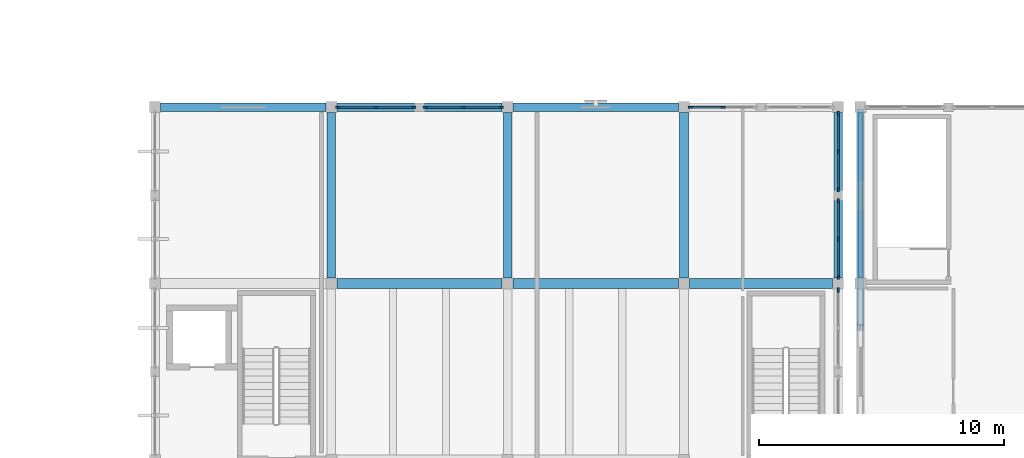
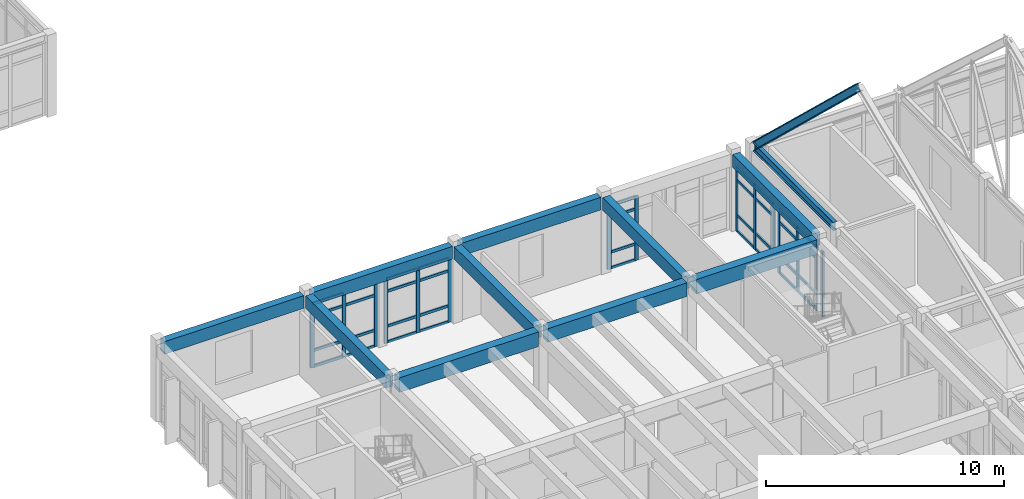
# One storey, part 41 of 136: 52 members, 11 beams, 6 elements without a shape of their own.
"""IFC4 building model written with IfcOpenShell, lengths in metres."""

from ifc_helpers import new_model, si_unit, direction, frame, origin, origin_2d, place, context, subcontext, project, spatial, rectangle, i_section, extrude, material, layer, layer_set, material_profile, profile_set, type_object, element, aggregate, save


model = new_model("IFC4")

# Units and contexts
model_context = context("Model", 3, precision=1e-05, world=origin(), true_north=direction((0.0, 1.0)))
body_context = subcontext(model_context, "Body", "Model", "MODEL_VIEW")
ifc_project = project(units=[si_unit("LENGTHUNIT", "METRE"), si_unit("AREAUNIT", "SQUARE_METRE"), si_unit("VOLUMEUNIT", "CUBIC_METRE"), si_unit("PLANEANGLEUNIT", "RADIAN"), si_unit("MASSUNIT", "GRAM", prefix="KILO")], contexts=[model_context])

# Site, building, storey
site_placement = place(None, origin())
site = spatial("IfcSite", under=ifc_project, at=site_placement, CompositionType="ELEMENT")
building_placement = place(site_placement, origin())
building = spatial("IfcBuilding", under=site, at=building_placement, Name="Koriwan Promenade Central Fire Station", CompositionType="ELEMENT")
storey_placement = place(building_placement, frame((0.0, 0.0, 5.39990234375)))
storey = spatial("IfcBuildingStorey", under=building, at=storey_placement, Name="L01", CompositionType="ELEMENT", Elevation=5.39990234375)

# Beams
ifc_material_1 = material(Name="Concrete C35/45", Category="concrete")
ifc_material_profile_1 = material_profile(ifc_material_1, rectangle(XDim=0.35009765625, YDim=0.64990234375, at=origin_2d()), Name="RC-BM-350x650")
ifc_profile_set_1 = profile_set([ifc_material_profile_1], Name="Concrete C35/45")
beam_type_1 = type_object("IfcBeamType", Name="Beam_RC-BM-350x650", PredefinedType="BEAM", material=ifc_profile_set_1)
for number, where, z_axis, x_axis, name in (
    (1, (36.0, 65.02490234375, 3.625), (0.0, 1.0, 0.0), (-1.0, 0.0, 0.0), "V4 L01 girder Y-439"),
    (2, (43.199951171875, 65.02490234375, 3.625), (0.0, 1.0, 0.0), (-1.0, 0.0, 0.0), "V4 L01 girder Y-443"),
    (3, (50.39990234375, 65.02490234375, 3.625), (0.0, 1.0, 0.0), (-1.0, 0.0, 0.0), "V4 L01 girder Y-447"),
    (4, (56.699951171875, 65.02490234375, 3.625), (0.0, 1.0, 0.0), (-1.0, 0.0, 0.0), "V4 L01 girder Y-451"),
):
    element("IfcBeam", number, at=place(storey_placement, frame(where, z_axis=z_axis, x_axis=x_axis)), inside=storey, type_object=beam_type_1, Name=name, PredefinedType="BEAM", context=body_context, shape_type="SweptSolid", body=[
        extrude(rectangle(XDim=0.35009765625, YDim=0.64990234375, at=origin_2d()), origin(), (0.0, 0.0, 1.0), 6.75),
    ])
ifc_material_profile_2 = material_profile(ifc_material_1, rectangle(XDim=0.39990234375, YDim=0.699951171875, at=origin_2d()), Name="RC-BM-400x700")
ifc_profile_set_2 = profile_set([ifc_material_profile_2], Name="Concrete C35/45")
beam_type_2 = type_object("IfcBeamType", Name="Beam_RC-BM-400x700", PredefinedType="BEAM", material=ifc_profile_set_2)
beam_1_placement = place(storey_placement, frame((43.425048828125, 64.800048828125, 3.60009765625), z_axis=(1.0, 0.0, 0.0), x_axis=(0.0, 1.0, 0.0)))
element("IfcBeam", 5, at=beam_1_placement, inside=storey, type_object=beam_type_2, Name="V4 L01 girder X-426", PredefinedType="BEAM", context=body_context, shape_type="SweptSolid", body=[
    extrude(rectangle(XDim=0.39990234375, YDim=0.699951171875, at=origin_2d()), origin(), (0.0, 0.0, 1.0), 6.75),
])
ifc_material_profile_3 = material_profile(ifc_material_1, rectangle(XDim=0.39990234375, YDim=0.75, at=origin_2d()), Name="RC-BM-400x750")
ifc_profile_set_3 = profile_set([ifc_material_profile_3], Name="Concrete C35/45")
beam_type_3 = type_object("IfcBeamType", Name="Beam_RC-BM-400x750", PredefinedType="BEAM", material=ifc_profile_set_3)
beam_2_placement = place(storey_placement, frame((36.22509765625, 64.800048828125, 3.5751953125), z_axis=(1.0, 0.0, 0.0), x_axis=(0.0, 1.0, 0.0)))
element("IfcBeam", 6, at=beam_2_placement, inside=storey, type_object=beam_type_3, Name="V4 L01 girder X-425", PredefinedType="BEAM", context=body_context, shape_type="SweptSolid", body=[
    extrude(rectangle(XDim=0.39990234375, YDim=0.75, at=origin_2d()), origin(), (0.0, 0.0, 1.0), 6.75),
])
beam_3_placement = place(storey_placement, frame((50.625, 64.800048828125, 3.5751953125), z_axis=(1.0, 0.0, 0.0), x_axis=(0.0, 1.0, 0.0)))
element("IfcBeam", 7, at=beam_3_placement, inside=storey, type_object=beam_type_3, Name="V4 L01 girder X-427", PredefinedType="BEAM", context=body_context, shape_type="SweptSolid", body=[
    extrude(rectangle(XDim=0.39990234375, YDim=0.75, at=origin_2d()), origin(), (0.0, 0.0, 1.0), 5.85009765625),
])
ifc_material_profile_4 = material_profile(ifc_material_1, rectangle(XDim=0.35009765625, YDim=0.64990234375, at=origin_2d()), Name="RC-SP-350x650")
ifc_profile_set_4 = profile_set([ifc_material_profile_4], Name="Concrete C35/45")
beam_type_4 = type_object("IfcBeamType", Name="Beam_RC-SP-350x650", PredefinedType="SPANDREL", material=ifc_profile_set_4)
for number, where, z_axis, x_axis, name in (
    (8, (29.02490234375, 72.0, 3.625), (1.0, 0.0, 0.0), (0.0, 1.0, 0.0), "V4 L01 girder X-428"),
    (9, (36.22509765625, 72.0, 3.625), (1.0, 0.0, 0.0), (0.0, 1.0, 0.0), "V4 L01 girder X-429"),
    (10, (43.425048828125, 72.0, 3.625), (1.0, 0.0, 0.0), (0.0, 1.0, 0.0), "V4 L01 girder X-430"),
):
    element("IfcBeam", number, at=place(storey_placement, frame(where, z_axis=z_axis, x_axis=x_axis)), inside=storey, type_object=beam_type_4, Name=name, PredefinedType="SPANDREL", context=body_context, shape_type="SweptSolid", body=[
        extrude(rectangle(XDim=0.35009765625, YDim=0.64990234375, at=origin_2d()), origin(), (0.0, 0.0, 1.0), 6.75),
    ])

# Curtain wall, member
ifc_material_2 = material(Name="Aluminium EN AW-6063-T6 and low-E glazing", Category="aluminium")
ifc_layer_1 = layer(ifc_material_2, 0.159912109375, Name="Aluminium EN AW-6063-T6 and low-E glazing")
ifc_layer_set_1 = layer_set([ifc_layer_1], Name="Aluminium EN AW-6063-T6 and low-E glazing")
curtain_wall_type_1 = type_object("IfcCurtainWallType", Name="CurtainWall_44_318x334", PredefinedType="USERDEFINED", material=ifc_layer_set_1)
curtain_wall_1_placement = place(storey_placement, origin())
curtain_wall_1 = element("IfcCurtainWall", 11, at=curtain_wall_1_placement, inside=storey, type_object=curtain_wall_type_1, Name="V4 L01 unitised curtain wall 114", ObjectType="UNITISED CURTAIN WALL", PredefinedType="USERDEFINED")
ifc_material_3 = material(Name="Aluminium EN AW-6063-T6", Category="aluminium")
ifc_material_profile_5 = material_profile(ifc_material_3, rectangle(XDim=0.074951171875, YDim=0.179931640625, at=origin_2d()), Name="ALU-MUL-75x180")
ifc_profile_set_5 = profile_set([ifc_material_profile_5], Name="Aluminium EN AW-6063-T6")
member_type_1 = type_object("IfcMemberType", Name="CWMullion_ALU-MUL-75x180", PredefinedType="MULLION", material=ifc_profile_set_5)
member_1_placement = place(storey_placement, frame((56.699951171875, 64.53759765625, 0.0), z_axis=(0.0, 0.0, 1.0), x_axis=(-1.0, 0.0, 0.0)))
member_1 = element("IfcMember", 12, at=member_1_placement, type_object=member_type_1, Name="CW-44 mullion 3", PredefinedType="MULLION", context=body_context, shape_type="SweptSolid", body=[
    extrude(rectangle(XDim=0.074951171875, YDim=0.179931640625, at=origin_2d()), origin(), (0.0, 0.0, 1.0), 3.340087890625),
])
aggregate(curtain_wall_1, [member_1])

# Curtain wall, members
ifc_layer_2 = layer(ifc_material_2, 0.159912109375, Name="Aluminium EN AW-6063-T6 and low-E glazing")
ifc_layer_set_2 = layer_set([ifc_layer_2], Name="Aluminium EN AW-6063-T6 and low-E glazing")
curtain_wall_type_2 = type_object("IfcCurtainWallType", Name="CurtainWall_46_317x329", PredefinedType="USERDEFINED", material=ifc_layer_set_2)
curtain_wall_2_placement = place(storey_placement, origin())
curtain_wall_2 = element("IfcCurtainWall", 13, at=curtain_wall_2_placement, inside=storey, type_object=curtain_wall_type_2, Name="V4 L01 unitised curtain wall 115", ObjectType="UNITISED CURTAIN WALL", PredefinedType="USERDEFINED")
member_2_placement = place(storey_placement, frame((56.699951171875, 65.0625, 0.0), z_axis=(0.0, 0.0, 1.0), x_axis=(-1.0, 0.0, 0.0)))
member_2 = element("IfcMember", 14, at=member_2_placement, type_object=member_type_1, Name="CW-46 mullion 1", PredefinedType="MULLION", context=body_context, shape_type="SweptSolid", body=[
    extrude(rectangle(XDim=0.074951171875, YDim=0.179931640625, at=origin_2d()), origin(), (0.0, 0.0, 1.0), 3.2900390625),
])
member_3_placement = place(storey_placement, frame((56.699951171875, 66.612548828125, 0.0), z_axis=(0.0, 0.0, 1.0), x_axis=(-1.0, 0.0, 0.0)))
member_3 = element("IfcMember", 15, at=member_3_placement, type_object=member_type_1, Name="CW-46 mullion 2", PredefinedType="MULLION", context=body_context, shape_type="SweptSolid", body=[
    extrude(rectangle(XDim=0.074951171875, YDim=0.179931640625, at=origin_2d()), origin(), (0.0, 0.0, 1.0), 3.2900390625),
])
member_4_placement = place(storey_placement, frame((56.699951171875, 68.16259765625, 0.0), z_axis=(0.0, 0.0, 1.0), x_axis=(-1.0, 0.0, 0.0)))
member_4 = element("IfcMember", 16, at=member_4_placement, type_object=member_type_1, Name="CW-46 mullion 3", PredefinedType="MULLION", context=body_context, shape_type="SweptSolid", body=[
    extrude(rectangle(XDim=0.074951171875, YDim=0.179931640625, at=origin_2d()), origin(), (0.0, 0.0, 1.0), 3.2900390625),
])

ifc_layer_3 = layer(ifc_material_2, 0.159912109375, Name="Aluminium EN AW-6063-T6 and low-E glazing")
ifc_layer_set_3 = layer_set([ifc_layer_3], Name="Aluminium EN AW-6063-T6 and low-E glazing")
curtain_wall_type_3 = type_object("IfcCurtainWallType", Name="CurtainWall_28_318x329", PredefinedType="USERDEFINED", material=ifc_layer_set_3)
curtain_wall_3_placement = place(storey_placement, origin())
curtain_wall_3 = element("IfcCurtainWall", 17, at=curtain_wall_3_placement, inside=storey, type_object=curtain_wall_type_3, Name="V4 L01 unitised curtain wall 116", ObjectType="UNITISED CURTAIN WALL", PredefinedType="USERDEFINED")
member_5_placement = place(storey_placement, frame((56.699951171875, 68.637451171875, 0.0), z_axis=(0.0, 0.0, 1.0), x_axis=(-1.0, 0.0, 0.0)))
member_5 = element("IfcMember", 18, at=member_5_placement, type_object=member_type_1, Name="CW-28 mullion 1", PredefinedType="MULLION", context=body_context, shape_type="SweptSolid", body=[
    extrude(rectangle(XDim=0.074951171875, YDim=0.179931640625, at=origin_2d()), origin(), (0.0, 0.0, 1.0), 3.2900390625),
])
member_6_placement = place(storey_placement, frame((56.699951171875, 70.1875, 0.0), z_axis=(0.0, 0.0, 1.0), x_axis=(-1.0, 0.0, 0.0)))
member_6 = element("IfcMember", 19, at=member_6_placement, type_object=member_type_1, Name="CW-28 mullion 2", PredefinedType="MULLION", context=body_context, shape_type="SweptSolid", body=[
    extrude(rectangle(XDim=0.074951171875, YDim=0.179931640625, at=origin_2d()), origin(), (0.0, 0.0, 1.0), 3.2900390625),
])
member_7_placement = place(storey_placement, frame((56.699951171875, 71.737548828125, 0.0), z_axis=(0.0, 0.0, 1.0), x_axis=(-1.0, 0.0, 0.0)))
member_7 = element("IfcMember", 20, at=member_7_placement, type_object=member_type_1, Name="CW-28 mullion 3", PredefinedType="MULLION", context=body_context, shape_type="SweptSolid", body=[
    extrude(rectangle(XDim=0.074951171875, YDim=0.179931640625, at=origin_2d()), origin(), (0.0, 0.0, 1.0), 3.2900390625),
])

ifc_layer_4 = layer(ifc_material_2, 0.159912109375, Name="Aluminium EN AW-6063-T6 and low-E glazing")
ifc_layer_set_4 = layer_set([ifc_layer_4], Name="Aluminium EN AW-6063-T6 and low-E glazing")
curtain_wall_type_4 = type_object("IfcCurtainWallType", Name="CurtainWall_47_273x329", PredefinedType="USERDEFINED", material=ifc_layer_set_4)
curtain_wall_4_placement = place(storey_placement, origin())
curtain_wall_4 = element("IfcCurtainWall", 21, at=curtain_wall_4_placement, inside=storey, type_object=curtain_wall_type_4, Name="V4 L01 unitised curtain wall 118", ObjectType="UNITISED CURTAIN WALL", PredefinedType="USERDEFINED")
member_8_placement = place(storey_placement, frame((51.987548828125, 72.0, 0.0), z_axis=(0.0, 0.0, 1.0), x_axis=(0.0, -1.0, 0.0)))
member_8 = element("IfcMember", 22, at=member_8_placement, type_object=member_type_1, Name="CW-47 mullion 2", PredefinedType="MULLION", context=body_context, shape_type="SweptSolid", body=[
    extrude(rectangle(XDim=0.074951171875, YDim=0.179931640625, at=origin_2d()), origin(), (0.0, 0.0, 1.0), 3.2900390625),
])
member_9_placement = place(storey_placement, frame((50.66259765625, 72.0, 0.0), z_axis=(0.0, 0.0, 1.0), x_axis=(0.0, -1.0, 0.0)))
member_9 = element("IfcMember", 23, at=member_9_placement, type_object=member_type_1, Name="CW-47 mullion 3", PredefinedType="MULLION", context=body_context, shape_type="SweptSolid", body=[
    extrude(rectangle(XDim=0.074951171875, YDim=0.179931640625, at=origin_2d()), origin(), (0.0, 0.0, 1.0), 3.2900390625),
])

curtain_wall_5_placement = place(storey_placement, origin())
curtain_wall_5 = element("IfcCurtainWall", 24, at=curtain_wall_5_placement, inside=storey, type_object=curtain_wall_type_3, Name="V4 L01 unitised curtain wall 119", ObjectType="UNITISED CURTAIN WALL", PredefinedType="USERDEFINED")
member_10_placement = place(storey_placement, frame((42.9375, 72.0, 0.0), z_axis=(0.0, 0.0, 1.0), x_axis=(0.0, -1.0, 0.0)))
member_10 = element("IfcMember", 25, at=member_10_placement, type_object=member_type_1, Name="CW-28 mullion 1", PredefinedType="MULLION", context=body_context, shape_type="SweptSolid", body=[
    extrude(rectangle(XDim=0.074951171875, YDim=0.179931640625, at=origin_2d()), origin(), (0.0, 0.0, 1.0), 3.2900390625),
])
member_11_placement = place(storey_placement, frame((41.387451171875, 72.0, 0.0), z_axis=(0.0, 0.0, 1.0), x_axis=(0.0, -1.0, 0.0)))
member_11 = element("IfcMember", 26, at=member_11_placement, type_object=member_type_1, Name="CW-28 mullion 2", PredefinedType="MULLION", context=body_context, shape_type="SweptSolid", body=[
    extrude(rectangle(XDim=0.074951171875, YDim=0.179931640625, at=origin_2d()), origin(), (0.0, 0.0, 1.0), 3.2900390625),
])
member_12_placement = place(storey_placement, frame((39.83740234375, 72.0, 0.0), z_axis=(0.0, 0.0, 1.0), x_axis=(0.0, -1.0, 0.0)))
member_12 = element("IfcMember", 27, at=member_12_placement, type_object=member_type_1, Name="CW-28 mullion 3", PredefinedType="MULLION", context=body_context, shape_type="SweptSolid", body=[
    extrude(rectangle(XDim=0.074951171875, YDim=0.179931640625, at=origin_2d()), origin(), (0.0, 0.0, 1.0), 3.2900390625),
])

curtain_wall_6_placement = place(storey_placement, origin())
curtain_wall_6 = element("IfcCurtainWall", 28, at=curtain_wall_6_placement, inside=storey, type_object=curtain_wall_type_2, Name="V4 L01 unitised curtain wall 120", ObjectType="UNITISED CURTAIN WALL", PredefinedType="USERDEFINED")
member_13_placement = place(storey_placement, frame((39.362548828125, 72.0, 0.0), z_axis=(0.0, 0.0, 1.0), x_axis=(0.0, -1.0, 0.0)))
member_13 = element("IfcMember", 29, at=member_13_placement, type_object=member_type_1, Name="CW-46 mullion 1", PredefinedType="MULLION", context=body_context, shape_type="SweptSolid", body=[
    extrude(rectangle(XDim=0.074951171875, YDim=0.179931640625, at=origin_2d()), origin(), (0.0, 0.0, 1.0), 3.2900390625),
])
member_14_placement = place(storey_placement, frame((37.8125, 72.0, 0.0), z_axis=(0.0, 0.0, 1.0), x_axis=(0.0, -1.0, 0.0)))
member_14 = element("IfcMember", 30, at=member_14_placement, type_object=member_type_1, Name="CW-46 mullion 2", PredefinedType="MULLION", context=body_context, shape_type="SweptSolid", body=[
    extrude(rectangle(XDim=0.074951171875, YDim=0.179931640625, at=origin_2d()), origin(), (0.0, 0.0, 1.0), 3.2900390625),
])
member_15_placement = place(storey_placement, frame((36.262451171875, 72.0, 0.0), z_axis=(0.0, 0.0, 1.0), x_axis=(0.0, -1.0, 0.0)))
member_15 = element("IfcMember", 31, at=member_15_placement, type_object=member_type_1, Name="CW-46 mullion 3", PredefinedType="MULLION", context=body_context, shape_type="SweptSolid", body=[
    extrude(rectangle(XDim=0.074951171875, YDim=0.179931640625, at=origin_2d()), origin(), (0.0, 0.0, 1.0), 3.2900390625),
])

# Member
ifc_material_profile_6 = material_profile(ifc_material_3, rectangle(XDim=0.074951171875, YDim=0.139892578125, at=origin_2d()), Name="ALU-TRN-75x140")
ifc_profile_set_6 = profile_set([ifc_material_profile_6], Name="Aluminium EN AW-6063-T6")
member_type_2 = type_object("IfcMemberType", Name="CWTransom_ALU-TRN-75x140", PredefinedType="USERDEFINED", material=ifc_profile_set_6)
member_16_placement = place(storey_placement, frame((56.699951171875, 65.10009765625, 0.03759765625), z_axis=(0.0, 1.0, 0.0), x_axis=(-1.0, 0.0, 0.0)))
member_16 = element("IfcMember", 32, at=member_16_placement, type_object=member_type_2, Name="CW-46 transom 1.1", ObjectType="TRANSOM", PredefinedType="USERDEFINED", context=body_context, shape_type="SweptSolid", body=[
    extrude(rectangle(XDim=0.074951171875, YDim=0.139892578125, at=origin_2d()), origin(), (0.0, 0.0, 1.0), 1.474853515625),
])

member_17_placement = place(storey_placement, frame((56.699951171875, 65.10009765625, 0.85009765625), z_axis=(0.0, 1.0, 0.0), x_axis=(-1.0, 0.0, 0.0)))
member_17 = element("IfcMember", 33, at=member_17_placement, type_object=member_type_2, Name="CW-46 transom 1.2", ObjectType="TRANSOM", PredefinedType="USERDEFINED", context=body_context, shape_type="SweptSolid", body=[
    extrude(rectangle(XDim=0.074951171875, YDim=0.139892578125, at=origin_2d()), origin(), (0.0, 0.0, 1.0), 1.474853515625),
])

member_18_placement = place(storey_placement, frame((56.699951171875, 65.10009765625, 2.64013671875), z_axis=(0.0, 1.0, 0.0), x_axis=(-1.0, 0.0, 0.0)))
member_18 = element("IfcMember", 34, at=member_18_placement, type_object=member_type_2, Name="CW-46 transom 1.3", ObjectType="TRANSOM", PredefinedType="USERDEFINED", context=body_context, shape_type="SweptSolid", body=[
    extrude(rectangle(XDim=0.074951171875, YDim=0.139892578125, at=origin_2d()), origin(), (0.0, 0.0, 1.0), 1.474853515625),
])

member_19_placement = place(storey_placement, frame((56.699951171875, 65.10009765625, 3.252685546875), z_axis=(0.0, 1.0, 0.0), x_axis=(-1.0, 0.0, 0.0)))
member_19 = element("IfcMember", 35, at=member_19_placement, type_object=member_type_2, Name="CW-46 transom 1.4", ObjectType="TRANSOM", PredefinedType="USERDEFINED", context=body_context, shape_type="SweptSolid", body=[
    extrude(rectangle(XDim=0.074951171875, YDim=0.139892578125, at=origin_2d()), origin(), (0.0, 0.0, 1.0), 1.474853515625),
])

member_20_placement = place(storey_placement, frame((56.699951171875, 66.64990234375, 0.03759765625), z_axis=(0.0, 1.0, 0.0), x_axis=(-1.0, 0.0, 0.0)))
member_20 = element("IfcMember", 36, at=member_20_placement, type_object=member_type_2, Name="CW-46 transom 2.1", ObjectType="TRANSOM", PredefinedType="USERDEFINED", context=body_context, shape_type="SweptSolid", body=[
    extrude(rectangle(XDim=0.074951171875, YDim=0.139892578125, at=origin_2d()), origin(), (0.0, 0.0, 1.0), 1.47509765625),
])

member_21_placement = place(storey_placement, frame((56.699951171875, 66.64990234375, 0.85009765625), z_axis=(0.0, 1.0, 0.0), x_axis=(-1.0, 0.0, 0.0)))
member_21 = element("IfcMember", 37, at=member_21_placement, type_object=member_type_2, Name="CW-46 transom 2.2", ObjectType="TRANSOM", PredefinedType="USERDEFINED", context=body_context, shape_type="SweptSolid", body=[
    extrude(rectangle(XDim=0.074951171875, YDim=0.139892578125, at=origin_2d()), origin(), (0.0, 0.0, 1.0), 1.47509765625),
])

member_22_placement = place(storey_placement, frame((56.699951171875, 66.64990234375, 2.64013671875), z_axis=(0.0, 1.0, 0.0), x_axis=(-1.0, 0.0, 0.0)))
member_22 = element("IfcMember", 38, at=member_22_placement, type_object=member_type_2, Name="CW-46 transom 2.3", ObjectType="TRANSOM", PredefinedType="USERDEFINED", context=body_context, shape_type="SweptSolid", body=[
    extrude(rectangle(XDim=0.074951171875, YDim=0.139892578125, at=origin_2d()), origin(), (0.0, 0.0, 1.0), 1.47509765625),
])

member_23_placement = place(storey_placement, frame((56.699951171875, 66.64990234375, 3.252685546875), z_axis=(0.0, 1.0, 0.0), x_axis=(-1.0, 0.0, 0.0)))
member_23 = element("IfcMember", 39, at=member_23_placement, type_object=member_type_2, Name="CW-46 transom 2.4", ObjectType="TRANSOM", PredefinedType="USERDEFINED", context=body_context, shape_type="SweptSolid", body=[
    extrude(rectangle(XDim=0.074951171875, YDim=0.139892578125, at=origin_2d()), origin(), (0.0, 0.0, 1.0), 1.47509765625),
])

aggregate(curtain_wall_2, [member_2, member_3, member_4, member_16, member_17, member_18, member_19, member_20, member_21, member_22, member_23])

member_24_placement = place(storey_placement, frame((56.699951171875, 68.675048828125, 0.03759765625), z_axis=(0.0, 1.0, 0.0), x_axis=(-1.0, 0.0, 0.0)))
member_24 = element("IfcMember", 40, at=member_24_placement, type_object=member_type_2, Name="CW-28 transom 1.1", ObjectType="TRANSOM", PredefinedType="USERDEFINED", context=body_context, shape_type="SweptSolid", body=[
    extrude(rectangle(XDim=0.074951171875, YDim=0.139892578125, at=origin_2d()), origin(), (0.0, 0.0, 1.0), 1.474853515625),
])

member_25_placement = place(storey_placement, frame((56.699951171875, 68.675048828125, 0.85009765625), z_axis=(0.0, 1.0, 0.0), x_axis=(-1.0, 0.0, 0.0)))
member_25 = element("IfcMember", 41, at=member_25_placement, type_object=member_type_2, Name="CW-28 transom 1.2", ObjectType="TRANSOM", PredefinedType="USERDEFINED", context=body_context, shape_type="SweptSolid", body=[
    extrude(rectangle(XDim=0.074951171875, YDim=0.139892578125, at=origin_2d()), origin(), (0.0, 0.0, 1.0), 1.474853515625),
])

member_26_placement = place(storey_placement, frame((56.699951171875, 68.675048828125, 2.64013671875), z_axis=(0.0, 1.0, 0.0), x_axis=(-1.0, 0.0, 0.0)))
member_26 = element("IfcMember", 42, at=member_26_placement, type_object=member_type_2, Name="CW-28 transom 1.3", ObjectType="TRANSOM", PredefinedType="USERDEFINED", context=body_context, shape_type="SweptSolid", body=[
    extrude(rectangle(XDim=0.074951171875, YDim=0.139892578125, at=origin_2d()), origin(), (0.0, 0.0, 1.0), 1.474853515625),
])

member_27_placement = place(storey_placement, frame((56.699951171875, 68.675048828125, 3.252685546875), z_axis=(0.0, 1.0, 0.0), x_axis=(-1.0, 0.0, 0.0)))
member_27 = element("IfcMember", 43, at=member_27_placement, type_object=member_type_2, Name="CW-28 transom 1.4", ObjectType="TRANSOM", PredefinedType="USERDEFINED", context=body_context, shape_type="SweptSolid", body=[
    extrude(rectangle(XDim=0.074951171875, YDim=0.139892578125, at=origin_2d()), origin(), (0.0, 0.0, 1.0), 1.474853515625),
])

member_28_placement = place(storey_placement, frame((56.699951171875, 70.22509765625, 0.03759765625), z_axis=(0.0, 1.0, 0.0), x_axis=(-1.0, 0.0, 0.0)))
member_28 = element("IfcMember", 44, at=member_28_placement, type_object=member_type_2, Name="CW-28 transom 2.1", ObjectType="TRANSOM", PredefinedType="USERDEFINED", context=body_context, shape_type="SweptSolid", body=[
    extrude(rectangle(XDim=0.074951171875, YDim=0.139892578125, at=origin_2d()), origin(), (0.0, 0.0, 1.0), 1.474853515625),
])

member_29_placement = place(storey_placement, frame((56.699951171875, 70.22509765625, 0.85009765625), z_axis=(0.0, 1.0, 0.0), x_axis=(-1.0, 0.0, 0.0)))
member_29 = element("IfcMember", 45, at=member_29_placement, type_object=member_type_2, Name="CW-28 transom 2.2", ObjectType="TRANSOM", PredefinedType="USERDEFINED", context=body_context, shape_type="SweptSolid", body=[
    extrude(rectangle(XDim=0.074951171875, YDim=0.139892578125, at=origin_2d()), origin(), (0.0, 0.0, 1.0), 1.474853515625),
])

member_30_placement = place(storey_placement, frame((56.699951171875, 70.22509765625, 2.64013671875), z_axis=(0.0, 1.0, 0.0), x_axis=(-1.0, 0.0, 0.0)))
member_30 = element("IfcMember", 46, at=member_30_placement, type_object=member_type_2, Name="CW-28 transom 2.3", ObjectType="TRANSOM", PredefinedType="USERDEFINED", context=body_context, shape_type="SweptSolid", body=[
    extrude(rectangle(XDim=0.074951171875, YDim=0.139892578125, at=origin_2d()), origin(), (0.0, 0.0, 1.0), 1.474853515625),
])

member_31_placement = place(storey_placement, frame((56.699951171875, 70.22509765625, 3.252685546875), z_axis=(0.0, 1.0, 0.0), x_axis=(-1.0, 0.0, 0.0)))
member_31 = element("IfcMember", 47, at=member_31_placement, type_object=member_type_2, Name="CW-28 transom 2.4", ObjectType="TRANSOM", PredefinedType="USERDEFINED", context=body_context, shape_type="SweptSolid", body=[
    extrude(rectangle(XDim=0.074951171875, YDim=0.139892578125, at=origin_2d()), origin(), (0.0, 0.0, 1.0), 1.474853515625),
])

aggregate(curtain_wall_3, [member_5, member_6, member_7, member_24, member_25, member_26, member_27, member_28, member_29, member_30, member_31])

member_32_placement = place(storey_placement, frame((51.949951171875, 72.0, 0.03759765625), z_axis=(-1.0, 0.0, 0.0), x_axis=(0.0, -1.0, 0.0)))
member_32 = element("IfcMember", 48, at=member_32_placement, type_object=member_type_2, Name="CW-47 transom 2.1", ObjectType="TRANSOM", PredefinedType="USERDEFINED", context=body_context, shape_type="SweptSolid", body=[
    extrude(rectangle(XDim=0.074951171875, YDim=0.139892578125, at=origin_2d()), origin(), (0.0, 0.0, 1.0), 1.25),
])

member_33_placement = place(storey_placement, frame((51.949951171875, 72.0, 0.85009765625), z_axis=(-1.0, 0.0, 0.0), x_axis=(0.0, -1.0, 0.0)))
member_33 = element("IfcMember", 49, at=member_33_placement, type_object=member_type_2, Name="CW-47 transom 2.2", ObjectType="TRANSOM", PredefinedType="USERDEFINED", context=body_context, shape_type="SweptSolid", body=[
    extrude(rectangle(XDim=0.074951171875, YDim=0.139892578125, at=origin_2d()), origin(), (0.0, 0.0, 1.0), 1.25),
])

member_34_placement = place(storey_placement, frame((51.949951171875, 72.0, 2.64013671875), z_axis=(-1.0, 0.0, 0.0), x_axis=(0.0, -1.0, 0.0)))
member_34 = element("IfcMember", 50, at=member_34_placement, type_object=member_type_2, Name="CW-47 transom 2.3", ObjectType="TRANSOM", PredefinedType="USERDEFINED", context=body_context, shape_type="SweptSolid", body=[
    extrude(rectangle(XDim=0.074951171875, YDim=0.139892578125, at=origin_2d()), origin(), (0.0, 0.0, 1.0), 1.25),
])

member_35_placement = place(storey_placement, frame((51.949951171875, 72.0, 3.252685546875), z_axis=(-1.0, 0.0, 0.0), x_axis=(0.0, -1.0, 0.0)))
member_35 = element("IfcMember", 51, at=member_35_placement, type_object=member_type_2, Name="CW-47 transom 2.4", ObjectType="TRANSOM", PredefinedType="USERDEFINED", context=body_context, shape_type="SweptSolid", body=[
    extrude(rectangle(XDim=0.074951171875, YDim=0.139892578125, at=origin_2d()), origin(), (0.0, 0.0, 1.0), 1.25),
])

aggregate(curtain_wall_4, [member_8, member_9, member_32, member_33, member_34, member_35])

member_36_placement = place(storey_placement, frame((42.89990234375, 72.0, 0.03759765625), z_axis=(-1.0, 0.0, 0.0), x_axis=(0.0, -1.0, 0.0)))
member_36 = element("IfcMember", 52, at=member_36_placement, type_object=member_type_2, Name="CW-28 transom 1.1", ObjectType="TRANSOM", PredefinedType="USERDEFINED", context=body_context, shape_type="SweptSolid", body=[
    extrude(rectangle(XDim=0.074951171875, YDim=0.139892578125, at=origin_2d()), origin(), (0.0, 0.0, 1.0), 1.474853515625),
])

member_37_placement = place(storey_placement, frame((42.89990234375, 72.0, 0.85009765625), z_axis=(-1.0, 0.0, 0.0), x_axis=(0.0, -1.0, 0.0)))
member_37 = element("IfcMember", 53, at=member_37_placement, type_object=member_type_2, Name="CW-28 transom 1.2", ObjectType="TRANSOM", PredefinedType="USERDEFINED", context=body_context, shape_type="SweptSolid", body=[
    extrude(rectangle(XDim=0.074951171875, YDim=0.139892578125, at=origin_2d()), origin(), (0.0, 0.0, 1.0), 1.474853515625),
])

member_38_placement = place(storey_placement, frame((42.89990234375, 72.0, 2.64013671875), z_axis=(-1.0, 0.0, 0.0), x_axis=(0.0, -1.0, 0.0)))
member_38 = element("IfcMember", 54, at=member_38_placement, type_object=member_type_2, Name="CW-28 transom 1.3", ObjectType="TRANSOM", PredefinedType="USERDEFINED", context=body_context, shape_type="SweptSolid", body=[
    extrude(rectangle(XDim=0.074951171875, YDim=0.139892578125, at=origin_2d()), origin(), (0.0, 0.0, 1.0), 1.474853515625),
])

member_39_placement = place(storey_placement, frame((42.89990234375, 72.0, 3.252685546875), z_axis=(-1.0, 0.0, 0.0), x_axis=(0.0, -1.0, 0.0)))
member_39 = element("IfcMember", 55, at=member_39_placement, type_object=member_type_2, Name="CW-28 transom 1.4", ObjectType="TRANSOM", PredefinedType="USERDEFINED", context=body_context, shape_type="SweptSolid", body=[
    extrude(rectangle(XDim=0.074951171875, YDim=0.139892578125, at=origin_2d()), origin(), (0.0, 0.0, 1.0), 1.474853515625),
])

member_40_placement = place(storey_placement, frame((41.35009765625, 72.0, 0.03759765625), z_axis=(-1.0, 0.0, 0.0), x_axis=(0.0, -1.0, 0.0)))
member_40 = element("IfcMember", 56, at=member_40_placement, type_object=member_type_2, Name="CW-28 transom 2.1", ObjectType="TRANSOM", PredefinedType="USERDEFINED", context=body_context, shape_type="SweptSolid", body=[
    extrude(rectangle(XDim=0.074951171875, YDim=0.139892578125, at=origin_2d()), origin(), (0.0, 0.0, 1.0), 1.47509765625),
])

member_41_placement = place(storey_placement, frame((41.35009765625, 72.0, 0.85009765625), z_axis=(-1.0, 0.0, 0.0), x_axis=(0.0, -1.0, 0.0)))
member_41 = element("IfcMember", 57, at=member_41_placement, type_object=member_type_2, Name="CW-28 transom 2.2", ObjectType="TRANSOM", PredefinedType="USERDEFINED", context=body_context, shape_type="SweptSolid", body=[
    extrude(rectangle(XDim=0.074951171875, YDim=0.139892578125, at=origin_2d()), origin(), (0.0, 0.0, 1.0), 1.47509765625),
])

member_42_placement = place(storey_placement, frame((41.35009765625, 72.0, 2.64013671875), z_axis=(-1.0, 0.0, 0.0), x_axis=(0.0, -1.0, 0.0)))
member_42 = element("IfcMember", 58, at=member_42_placement, type_object=member_type_2, Name="CW-28 transom 2.3", ObjectType="TRANSOM", PredefinedType="USERDEFINED", context=body_context, shape_type="SweptSolid", body=[
    extrude(rectangle(XDim=0.074951171875, YDim=0.139892578125, at=origin_2d()), origin(), (0.0, 0.0, 1.0), 1.47509765625),
])

member_43_placement = place(storey_placement, frame((41.35009765625, 72.0, 3.252685546875), z_axis=(-1.0, 0.0, 0.0), x_axis=(0.0, -1.0, 0.0)))
member_43 = element("IfcMember", 59, at=member_43_placement, type_object=member_type_2, Name="CW-28 transom 2.4", ObjectType="TRANSOM", PredefinedType="USERDEFINED", context=body_context, shape_type="SweptSolid", body=[
    extrude(rectangle(XDim=0.074951171875, YDim=0.139892578125, at=origin_2d()), origin(), (0.0, 0.0, 1.0), 1.47509765625),
])

aggregate(curtain_wall_5, [member_10, member_11, member_12, member_36, member_37, member_38, member_39, member_40, member_41, member_42, member_43])

member_44_placement = place(storey_placement, frame((39.324951171875, 72.0, 0.03759765625), z_axis=(-1.0, 0.0, 0.0), x_axis=(0.0, -1.0, 0.0)))
member_44 = element("IfcMember", 60, at=member_44_placement, type_object=member_type_2, Name="CW-46 transom 1.1", ObjectType="TRANSOM", PredefinedType="USERDEFINED", context=body_context, shape_type="SweptSolid", body=[
    extrude(rectangle(XDim=0.074951171875, YDim=0.139892578125, at=origin_2d()), origin(), (0.0, 0.0, 1.0), 1.474853515625),
])

member_45_placement = place(storey_placement, frame((39.324951171875, 72.0, 0.85009765625), z_axis=(-1.0, 0.0, 0.0), x_axis=(0.0, -1.0, 0.0)))
member_45 = element("IfcMember", 61, at=member_45_placement, type_object=member_type_2, Name="CW-46 transom 1.2", ObjectType="TRANSOM", PredefinedType="USERDEFINED", context=body_context, shape_type="SweptSolid", body=[
    extrude(rectangle(XDim=0.074951171875, YDim=0.139892578125, at=origin_2d()), origin(), (0.0, 0.0, 1.0), 1.474853515625),
])

member_46_placement = place(storey_placement, frame((39.324951171875, 72.0, 2.64013671875), z_axis=(-1.0, 0.0, 0.0), x_axis=(0.0, -1.0, 0.0)))
member_46 = element("IfcMember", 62, at=member_46_placement, type_object=member_type_2, Name="CW-46 transom 1.3", ObjectType="TRANSOM", PredefinedType="USERDEFINED", context=body_context, shape_type="SweptSolid", body=[
    extrude(rectangle(XDim=0.074951171875, YDim=0.139892578125, at=origin_2d()), origin(), (0.0, 0.0, 1.0), 1.474853515625),
])

member_47_placement = place(storey_placement, frame((39.324951171875, 72.0, 3.252685546875), z_axis=(-1.0, 0.0, 0.0), x_axis=(0.0, -1.0, 0.0)))
member_47 = element("IfcMember", 63, at=member_47_placement, type_object=member_type_2, Name="CW-46 transom 1.4", ObjectType="TRANSOM", PredefinedType="USERDEFINED", context=body_context, shape_type="SweptSolid", body=[
    extrude(rectangle(XDim=0.074951171875, YDim=0.139892578125, at=origin_2d()), origin(), (0.0, 0.0, 1.0), 1.474853515625),
])

member_48_placement = place(storey_placement, frame((37.77490234375, 72.0, 0.03759765625), z_axis=(-1.0, 0.0, 0.0), x_axis=(0.0, -1.0, 0.0)))
member_48 = element("IfcMember", 64, at=member_48_placement, type_object=member_type_2, Name="CW-46 transom 2.1", ObjectType="TRANSOM", PredefinedType="USERDEFINED", context=body_context, shape_type="SweptSolid", body=[
    extrude(rectangle(XDim=0.074951171875, YDim=0.139892578125, at=origin_2d()), origin(), (0.0, 0.0, 1.0), 1.474853515625),
])

member_49_placement = place(storey_placement, frame((37.77490234375, 72.0, 0.85009765625), z_axis=(-1.0, 0.0, 0.0), x_axis=(0.0, -1.0, 0.0)))
member_49 = element("IfcMember", 65, at=member_49_placement, type_object=member_type_2, Name="CW-46 transom 2.2", ObjectType="TRANSOM", PredefinedType="USERDEFINED", context=body_context, shape_type="SweptSolid", body=[
    extrude(rectangle(XDim=0.074951171875, YDim=0.139892578125, at=origin_2d()), origin(), (0.0, 0.0, 1.0), 1.474853515625),
])

member_50_placement = place(storey_placement, frame((37.77490234375, 72.0, 2.64013671875), z_axis=(-1.0, 0.0, 0.0), x_axis=(0.0, -1.0, 0.0)))
member_50 = element("IfcMember", 66, at=member_50_placement, type_object=member_type_2, Name="CW-46 transom 2.3", ObjectType="TRANSOM", PredefinedType="USERDEFINED", context=body_context, shape_type="SweptSolid", body=[
    extrude(rectangle(XDim=0.074951171875, YDim=0.139892578125, at=origin_2d()), origin(), (0.0, 0.0, 1.0), 1.474853515625),
])

member_51_placement = place(storey_placement, frame((37.77490234375, 72.0, 3.252685546875), z_axis=(-1.0, 0.0, 0.0), x_axis=(0.0, -1.0, 0.0)))
member_51 = element("IfcMember", 67, at=member_51_placement, type_object=member_type_2, Name="CW-46 transom 2.4", ObjectType="TRANSOM", PredefinedType="USERDEFINED", context=body_context, shape_type="SweptSolid", body=[
    extrude(rectangle(XDim=0.074951171875, YDim=0.139892578125, at=origin_2d()), origin(), (0.0, 0.0, 1.0), 1.474853515625),
])

aggregate(curtain_wall_6, [member_13, member_14, member_15, member_44, member_45, member_46, member_47, member_48, member_49, member_50, member_51])

ifc_material_4 = material(Name="Steel ASTM A992 Grade 50", Category="steel")
ifc_material_profile_7 = material_profile(ifc_material_4, i_section(OverallWidth=0.257080078125, OverallDepth=0.363037109375, WebThickness=0.012939453125, FlangeThickness=0.021728515625, FilletRadius=0.014892578125, at=origin_2d()), Name="W360x122")
ifc_profile_set_7 = profile_set([ifc_material_profile_7], Name="Steel ASTM A992 Grade 50")
member_type_3 = type_object("IfcMemberType", Name="Member_CHORD_W360x122", PredefinedType="CHORD", material=ifc_profile_set_7)
member_52_placement = place(storey_placement, frame((57.60009765625, 63.0, 12.35009765625), z_axis=(0.0, 0.725451043678, -0.68827377055), x_axis=(-1.0, 0.0, 0.0)))
element("IfcMember", 68, at=member_52_placement, inside=storey, type_object=member_type_3, Name="V1 end portal north rafter (57.6)", PredefinedType="CHORD", context=body_context, shape_type="SweptSolid", body=[
    extrude(i_section(OverallWidth=0.257080078125, OverallDepth=0.363037109375, WebThickness=0.012939453125, FlangeThickness=0.021728515625, FilletRadius=0.014892578125, at=origin_2d()), origin(), (0.0, 0.0, 1.0), 12.102783203125),
])

# Beam
ifc_material_profile_8 = material_profile(ifc_material_4, i_section(OverallWidth=0.180908203125, OverallDepth=0.4169921875, WebThickness=0.010986328125, FlangeThickness=0.018310546875, FilletRadius=0.01611328125, at=origin_2d()), Name="W410x85")
ifc_profile_set_8 = profile_set([ifc_material_profile_8], Name="Steel ASTM A992 Grade 50")
beam_type_5 = type_object("IfcBeamType", Name="SteelBeam_W410x85", PredefinedType="BEAM", material=ifc_profile_set_8)
beam_4_placement = place(storey_placement, frame((57.60009765625, 65.02490234375, 3.99169921875), z_axis=(0.0, 1.0, 0.0), x_axis=(-1.0, 0.0, 0.0)))
element("IfcBeam", 69, at=beam_4_placement, inside=storey, type_object=beam_type_5, Name="V1 L01 girder Y-65", PredefinedType="BEAM", context=body_context, shape_type="SweptSolid", body=[
    extrude(i_section(OverallWidth=0.180908203125, OverallDepth=0.4169921875, WebThickness=0.010986328125, FlangeThickness=0.018310546875, FilletRadius=0.01611328125, at=origin_2d()), origin(), (0.0, 0.0, 1.0), 6.75),
])

save(model, "model.ifc")
